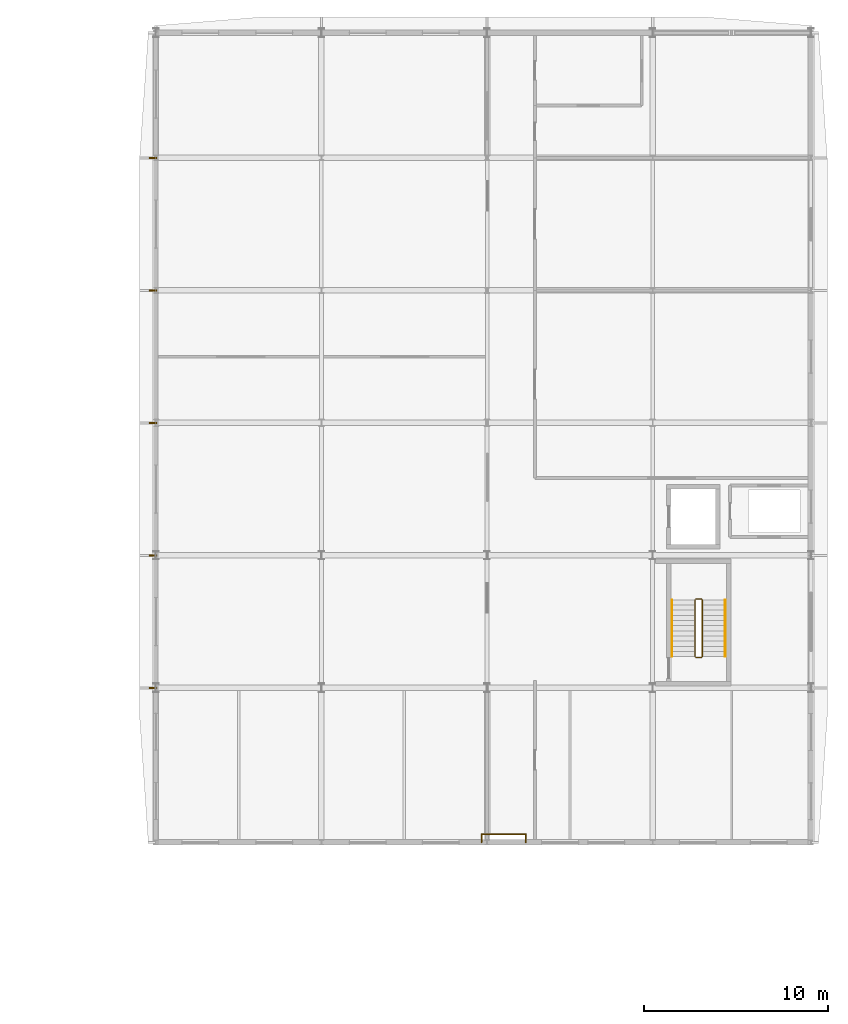
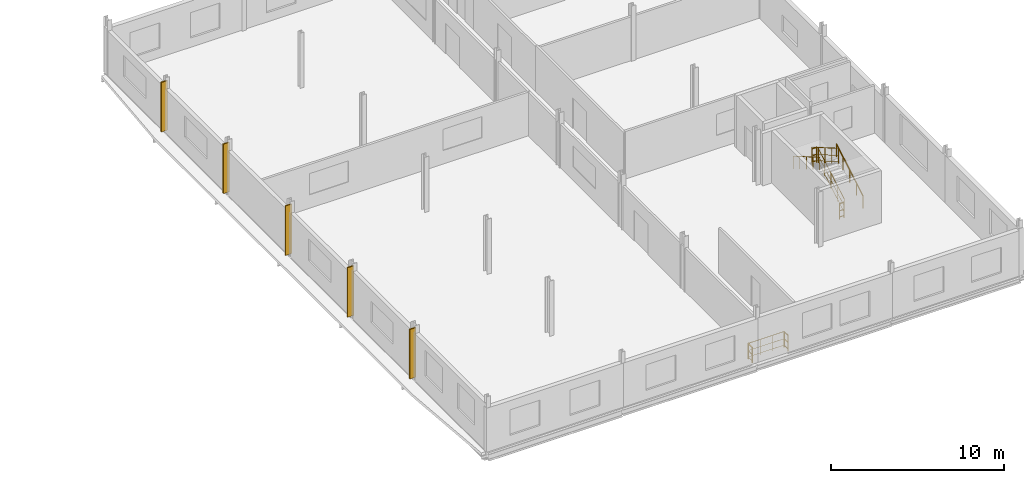
# One storey, part 49 of 49: 9 railings, 5 shading devices.
"""IFC4 building model written with IfcOpenShell, lengths in metres."""

import ifcopenshell
import ifcopenshell.guid

model = None  # the IFC model being written
_history = None  # IfcOwnerHistory: only IFC2X3 demands one
_inside = {}  # id of a spatial element -> (the spatial element, [elements in it])
_under = {}  # id of a project, library or spatial element -> (it, [spatial elements below it])
_declared = {}  # id of a project -> (the project, [libraries it declares])
_typed = {}  # id of a type object -> (the type object, [elements of that type])
_made_of = {}  # id of a material, layer set ... -> (it, [elements and type objects made of it])


def new_model(schema):
    """Start an empty IFC model of exactly this schema.

    Asked for "IFC4X3", IfcOpenShell would pick the latest addendum, in which some entities
    have other attributes; the version numbers below select the first issue.
    IFC2X3 requires an IfcOwnerHistory on every rooted entity: one is made here for all.
    """
    global model, _history
    if schema == "IFC4X3":
        model = ifcopenshell.file(schema_version=(4, 3, 0, 0))
    else:
        model = ifcopenshell.file(schema=schema)
    _inside.clear()
    _under.clear()
    _declared.clear()
    _typed.clear()
    _made_of.clear()
    _history = None
    if model.schema == "IFC2X3":
        org = make("IfcOrganization", Name="unknown")
        user = make(
            "IfcPersonAndOrganization",
            ThePerson=make("IfcPerson", FamilyName="unknown"),
            TheOrganization=org,
        )
        app = make(
            "IfcApplication",
            ApplicationDeveloper=org,
            Version="unknown",
            ApplicationFullName="unknown",
            ApplicationIdentifier="unknown",
        )
        _history = make(
            "IfcOwnerHistory",
            OwningUser=user,
            OwningApplication=app,
            ChangeAction="ADDED",
            CreationDate=0,
        )
    return model


def make(cls, **values):
    """One entity of the class cls with the attributes given. An attribute that is None is left unset."""
    return model.create_entity(
        cls, **{name: value for name, value in values.items() if value is not None}
    )


def rooted(cls, **values):
    """An entity with a GlobalId (a new one), such as an element, a storey or a relation."""
    return make(cls, GlobalId=ifcopenshell.guid.new(), OwnerHistory=_history, **values)


def si_unit(unit_type, name, prefix=None):
    """IfcSIUnit, for example si_unit("LENGTHUNIT", "METRE", prefix="MILLI")."""
    return make("IfcSIUnit", UnitType=unit_type, Prefix=prefix, Name=name)


def assignment(units):
    """IfcUnitAssignment: the units of a project."""
    return None if units is None else make("IfcUnitAssignment", Units=units)


def point(xyz):
    """IfcCartesianPoint."""
    return None if xyz is None else make("IfcCartesianPoint", Coordinates=xyz)


def direction(xyz):
    """IfcDirection."""
    return None if xyz is None else make("IfcDirection", DirectionRatios=xyz)


def frame(location, z_axis=None, x_axis=None):
    """IfcAxis2Placement3D, a coordinate frame: its origin and axes. An axis left out is left unset."""
    return make(
        "IfcAxis2Placement3D",
        Location=point(location),
        Axis=direction(z_axis),
        RefDirection=direction(x_axis),
    )


def frame_2d(location, x_axis=None):
    """IfcAxis2Placement2D, a coordinate frame in the plane: its origin and x axis."""
    return make(
        "IfcAxis2Placement2D", Location=point(location), RefDirection=direction(x_axis)
    )


def origin():
    """The frame at (0, 0, 0) with its axes left unset."""
    return frame((0.0, 0.0, 0.0))


def origin_2d():
    """The frame at (0, 0) in the plane with its x axis left unset."""
    return frame_2d((0.0, 0.0))


def place(relative_to, where):
    """IfcLocalPlacement: puts the frame where relative to a parent placement (None: the world)."""
    return make(
        "IfcLocalPlacement", PlacementRelTo=relative_to, RelativePlacement=where
    )


def context(
    kind, dimensions, precision=None, world=None, true_north=None, identifier=None
):
    """IfcGeometricRepresentationContext, for example the 3D "Model" context."""
    return make(
        "IfcGeometricRepresentationContext",
        ContextIdentifier=identifier,
        ContextType=kind,
        CoordinateSpaceDimension=dimensions,
        Precision=precision,
        WorldCoordinateSystem=world,
        TrueNorth=true_north,
    )


def subcontext(parent, identifier, kind, view, scale=None):
    """IfcGeometricRepresentationSubContext, for example "Body" below "Model"."""
    return make(
        "IfcGeometricRepresentationSubContext",
        ContextIdentifier=identifier,
        ContextType=kind,
        ParentContext=parent,
        TargetScale=scale,
        TargetView=view,
    )


def project(units=None, contexts=None):
    """IfcProject with its units and contexts."""
    return rooted(
        "IfcProject",
        Name="project",
        RepresentationContexts=contexts,
        UnitsInContext=assignment(units),
    )


def spatial(cls, under=None, at=None, **own):
    """A site, building, storey or space (cls), placed at a placement, below another one or the project."""
    s = rooted(cls, ObjectPlacement=at, **own)
    if under is not None:
        _under.setdefault(under.id(), (under, []))[1].append(s)
    return s


def profile(cls, at=None, kind="AREA", **sizes):
    """A parametric profile (cls). Its sizes go by their IFC names, for example OverallWidth=200.0."""
    return make(cls, ProfileType=kind, Position=at, **sizes)


def rectangle(**sizes):
    """IfcRectangleProfileDef."""
    return profile("IfcRectangleProfileDef", **sizes)


def circle(**sizes):
    """IfcCircleProfileDef."""
    return profile("IfcCircleProfileDef", **sizes)


def extrude(swept, where, along, depth):
    """IfcExtrudedAreaSolid: the profile swept, set in the frame where, extruded along a direction by depth."""
    return make(
        "IfcExtrudedAreaSolid",
        SweptArea=swept,
        Position=where,
        ExtrudedDirection=direction(along),
        Depth=depth,
    )


def shape(context_of_items, identifier, shape_type, items):
    """IfcShapeRepresentation: the items that make up one representation, for example the "Body"."""
    return make(
        "IfcShapeRepresentation",
        ContextOfItems=context_of_items,
        RepresentationIdentifier=identifier,
        RepresentationType=shape_type,
        Items=items,
    )


def material(Name=None, Category=None):
    """IfcMaterial."""
    return make("IfcMaterial", Name=Name, Category=Category)


def made_of(thing, what):
    """Note that an element or type object is made of a material, layer set ...; save() writes the relation."""
    if what is not None:
        _made_of.setdefault(what.id(), (what, []))[1].append(thing)
    return thing


def type_object(cls, material=None, **own):
    """A type object (cls), such as IfcWallType, which elements share."""
    return made_of(rooted(cls, **own), material)


def element(
    cls,
    number,
    at=None,
    inside=None,
    cuts=None,
    type_object=None,
    material=None,
    context=None,
    identifier="Body",
    shape_type=None,
    held_by="IfcProductDefinitionShape",
    body=None,
    shapes=None,
    **own,
):
    """One element of the class cls, such as IfcWall. Its Tag is "e" and its number.

    at: its placement. inside: the storey or other place that contains it. cuts: it is an
    opening in that element (IfcRelVoidsElement). A single representation is given by context,
    identifier, shape_type and body (its items); several are given by shapes. held_by: the class
    of the entity that holds the representations. save() writes the other relations.
    """
    e = rooted(cls, Tag="e%d" % number, ObjectPlacement=at, **own)
    if body is not None:
        shapes = [shape(context, identifier, shape_type, body)]
    if shapes is not None:
        e.Representation = make(held_by, Representations=shapes)
    if inside is not None:
        _inside.setdefault(inside.id(), (inside, []))[1].append(e)
    if cuts is not None:
        rooted(
            "IfcRelVoidsElement", RelatingBuildingElement=cuts, RelatedOpeningElement=e
        )
    if type_object is not None:
        _typed.setdefault(type_object.id(), (type_object, []))[1].append(e)
    return made_of(e, material)


def aggregate(whole, parts):
    """IfcRelAggregates: a whole, such as a stair, and the parts it consists of."""
    return rooted("IfcRelAggregates", RelatingObject=whole, RelatedObjects=parts)


def save(model, path):
    """Write the relations noted so far, then the file.

    IfcRelAggregates (storeys below a building ...), IfcRelContainedInSpatialStructure (elements
    in a storey), IfcRelDefinesByType, IfcRelAssociatesMaterial and IfcRelDeclares: one each for
    every whole, place, type object, material and project.
    """
    for whole, parts in _under.values():
        aggregate(whole, parts)
    for where, things in _inside.values():
        rooted(
            "IfcRelContainedInSpatialStructure",
            RelatedElements=things,
            RelatingStructure=where,
        )
    for kind, things in _typed.values():
        rooted("IfcRelDefinesByType", RelatedObjects=things, RelatingType=kind)
    for what, things in _made_of.values():
        rooted("IfcRelAssociatesMaterial", RelatedObjects=things, RelatingMaterial=what)
    for by, libraries in _declared.values():
        rooted("IfcRelDeclares", RelatingContext=by, RelatedDefinitions=libraries)
    model.write(path)


model = new_model("IFC4")

# Units and contexts
model_context = context("Model", 3, precision=1e-05, world=origin(), true_north=direction((0.0, 1.0)))
body_context = subcontext(model_context, "Body", "Model", "MODEL_VIEW")
ifc_project = project(units=[si_unit("LENGTHUNIT", "METRE"), si_unit("AREAUNIT", "SQUARE_METRE"), si_unit("VOLUMEUNIT", "CUBIC_METRE"), si_unit("PLANEANGLEUNIT", "RADIAN"), si_unit("MASSUNIT", "GRAM", prefix="KILO")], contexts=[model_context])

# Site, building, storey
site_placement = place(None, origin())
site = spatial("IfcSite", under=ifc_project, at=site_placement, CompositionType="ELEMENT")
building_placement = place(site_placement, origin())
building = spatial("IfcBuilding", under=site, at=building_placement, Name="Vinh Khe Railworks Police Headquarters", CompositionType="ELEMENT")
storey_placement = place(building_placement, frame((0.0, 0.0, 17.10009765625)))
storey = spatial("IfcBuildingStorey", under=building, at=storey_placement, Name="L04", CompositionType="ELEMENT", Elevation=17.10009765625)

# Railings
ifc_material_1 = material(Name="Painted tubular steel", Category="steel")
railing_type_1 = type_object("IfcRailingType", Name="RL-GUARD-1100", PredefinedType="GUARDRAIL", material=ifc_material_1)
railing_1_placement = place(storey_placement, frame((107.699951171875, 132.5, 0.162353515625)))
element("IfcRailing", 1, at=railing_1_placement, inside=storey, type_object=railing_type_1, Name="L04 ST-03 stair guard 1", PredefinedType="GUARDRAIL", context=body_context, shape_type="SweptSolid", body=[
    extrude(circle(Radius=0.02392578125, at=origin_2d()), frame((0.0, 0.0, 1.076171875), z_axis=(0.0, 0.864890721111, 0.501960198159), x_axis=(-1.0, 0.0, 0.0)), (0.0, 0.0, 1.0), 3.561279296875),
    extrude(circle(Radius=0.01416015625, at=origin_2d()), frame((0.0, 0.0, 0.132080078125), z_axis=(0.0, 0.864890721111, 0.501960198159), x_axis=(-1.0, 0.0, 0.0)), (0.0, 0.0, 1.0), 3.561279296875),
    extrude(circle(Radius=0.01416015625, at=origin_2d()), frame((0.0, 0.0, 0.572021484375), z_axis=(0.0, 0.864890721111, 0.501960198159), x_axis=(-1.0, 0.0, 0.0)), (0.0, 0.0, 1.0), 3.561279296875),
    extrude(circle(Radius=0.02099609375, at=origin_2d()), origin(), (0.0, 0.0, 1.0), 1.052001953125),
    extrude(circle(Radius=0.02099609375, at=origin_2d()), frame((0.0, 0.77001953125, 0.44677734375)), (0.0, 0.0, 1.0), 1.052001953125),
    extrude(circle(Radius=0.02099609375, at=origin_2d()), frame((0.0, 1.5400390625, 0.893798828125)), (0.0, 0.0, 1.0), 1.052001953125),
    extrude(circle(Radius=0.02099609375, at=origin_2d()), frame((0.0, 2.31005859375, 1.3408203125)), (0.0, 0.0, 1.0), 1.052001953125),
    extrude(circle(Radius=0.02099609375, at=origin_2d()), frame((0.0, 3.080078125, 1.78759765625)), (0.0, 0.0, 1.0), 1.052001953125),
])
railing_2_placement = place(storey_placement, frame((107.64990234375, 135.6298828125, 1.949951171875)))
element("IfcRailing", 2, at=railing_2_placement, inside=storey, type_object=railing_type_1, Name="L04 ST-03 stair guard 2", PredefinedType="GUARDRAIL", context=body_context, shape_type="SweptSolid", body=[
    extrude(circle(Radius=0.02392578125, at=origin_2d()), frame((0.0, 0.0, 1.076171875), z_axis=(-1.0, 0.0, 0.0), x_axis=(0.0, -1.0, 0.0)), (0.0, 0.0, 1.0), 0.2998046875),
    extrude(circle(Radius=0.01416015625, at=origin_2d()), frame((0.0, 0.0, 0.132080078125), z_axis=(-1.0, 0.0, 0.0), x_axis=(0.0, -1.0, 0.0)), (0.0, 0.0, 1.0), 0.2998046875),
    extrude(circle(Radius=0.01416015625, at=origin_2d()), frame((0.0, 0.0, 0.572021484375), z_axis=(-1.0, 0.0, 0.0), x_axis=(0.0, -1.0, 0.0)), (0.0, 0.0, 1.0), 0.2998046875),
    extrude(circle(Radius=0.02099609375, at=origin_2d()), origin(), (0.0, 0.0, 1.0), 1.052001953125),
    extrude(circle(Radius=0.02099609375, at=origin_2d()), frame((-0.2998046875, 0.0, 0.0)), (0.0, 0.0, 1.0), 1.052001953125),
])
railing_3_placement = place(storey_placement, frame((107.300048828125, 135.580078125, 2.1123046875)))
element("IfcRailing", 3, at=railing_3_placement, inside=storey, type_object=railing_type_1, Name="L04 ST-03 stair guard 3", PredefinedType="GUARDRAIL", context=body_context, shape_type="SweptSolid", body=[
    extrude(circle(Radius=0.02392578125, at=origin_2d()), frame((0.0, 0.0, 1.076171875), z_axis=(0.0, -0.864890721111, 0.501960198159), x_axis=(1.0, 0.0, 0.0)), (0.0, 0.0, 1.0), 3.561279296875),
    extrude(circle(Radius=0.01416015625, at=origin_2d()), frame((0.0, 0.0, 0.132080078125), z_axis=(0.0, -0.864890721111, 0.501960198159), x_axis=(1.0, 0.0, 0.0)), (0.0, 0.0, 1.0), 3.561279296875),
    extrude(circle(Radius=0.01416015625, at=origin_2d()), frame((0.0, 0.0, 0.572021484375), z_axis=(0.0, -0.864890721111, 0.501960198159), x_axis=(1.0, 0.0, 0.0)), (0.0, 0.0, 1.0), 3.561279296875),
    extrude(circle(Radius=0.02099609375, at=origin_2d()), origin(), (0.0, 0.0, 1.0), 1.052001953125),
    extrude(circle(Radius=0.02099609375, at=origin_2d()), frame((0.0, -0.77001953125, 0.44677734375)), (0.0, 0.0, 1.0), 1.052001953125),
    extrude(circle(Radius=0.02099609375, at=origin_2d()), frame((0.0, -1.5400390625, 0.893798828125)), (0.0, 0.0, 1.0), 1.052001953125),
    extrude(circle(Radius=0.02099609375, at=origin_2d()), frame((0.0, -2.31005859375, 1.3408203125)), (0.0, 0.0, 1.0), 1.052001953125),
    extrude(circle(Radius=0.02099609375, at=origin_2d()), frame((0.0, -3.080078125, 1.78759765625)), (0.0, 0.0, 1.0), 1.052001953125),
])
railing_4_placement = place(storey_placement, frame((107.64990234375, 132.449951171875, 0.0)))
element("IfcRailing", 4, at=railing_4_placement, inside=storey, type_object=railing_type_1, Name="L04 ST-03 stair guard 4", PredefinedType="GUARDRAIL", context=body_context, shape_type="SweptSolid", body=[
    extrude(circle(Radius=0.02392578125, at=origin_2d()), frame((0.0, 0.0, 1.076171875), z_axis=(-1.0, 0.0, 0.0), x_axis=(0.0, -1.0, 0.0)), (0.0, 0.0, 1.0), 0.2998046875),
    extrude(circle(Radius=0.01416015625, at=origin_2d()), frame((0.0, 0.0, 0.132080078125), z_axis=(-1.0, 0.0, 0.0), x_axis=(0.0, -1.0, 0.0)), (0.0, 0.0, 1.0), 0.2998046875),
    extrude(circle(Radius=0.01416015625, at=origin_2d()), frame((0.0, 0.0, 0.572021484375), z_axis=(-1.0, 0.0, 0.0), x_axis=(0.0, -1.0, 0.0)), (0.0, 0.0, 1.0), 0.2998046875),
    extrude(circle(Radius=0.02099609375, at=origin_2d()), origin(), (0.0, 0.0, 1.0), 1.052001953125),
    extrude(circle(Radius=0.02099609375, at=origin_2d()), frame((-0.2998046875, 0.0, 0.0)), (0.0, 0.0, 1.0), 1.052001953125),
])
railing_5_placement = place(storey_placement, frame((95.699951171875, 122.39990234375, 0.0)))
element("IfcRailing", 5, at=railing_5_placement, inside=storey, type_object=railing_type_1, Name="Slab Corner Notch Guard L04-99", PredefinedType="GUARDRAIL", context=body_context, shape_type="SweptSolid", body=[
    extrude(circle(Radius=0.02392578125, at=origin_2d()), frame((0.0, 0.0, 1.09619140625), z_axis=(0.0, 1.0, 0.0), x_axis=(-1.0, 0.0, 0.0)), (0.0, 0.0, 1.0), 0.4501953125),
    extrude(circle(Radius=0.01416015625, at=origin_2d()), frame((0.0, 0.0, 0.134521484375), z_axis=(0.0, 1.0, 0.0), x_axis=(-1.0, 0.0, 0.0)), (0.0, 0.0, 1.0), 0.4501953125),
    extrude(circle(Radius=0.01416015625, at=origin_2d()), frame((0.0, 0.0, 0.58251953125), z_axis=(0.0, 1.0, 0.0), x_axis=(-1.0, 0.0, 0.0)), (0.0, 0.0, 1.0), 0.4501953125),
    extrude(circle(Radius=0.02099609375, at=origin_2d()), origin(), (0.0, 0.0, 1.0), 1.072021484375),
    extrude(circle(Radius=0.02099609375, at=origin_2d()), frame((0.0, 0.4501953125, 0.0)), (0.0, 0.0, 1.0), 1.072021484375),
])
railing_6_placement = place(storey_placement, frame((95.699951171875, 122.85009765625, 0.0)))
element("IfcRailing", 6, at=railing_6_placement, inside=storey, type_object=railing_type_1, Name="Slab Corner Notch Guard L04-100", PredefinedType="GUARDRAIL", context=body_context, shape_type="SweptSolid", body=[
    extrude(circle(Radius=0.02392578125, at=origin_2d()), frame((0.0, 0.0, 1.09619140625), z_axis=(1.0, 0.0, 0.0), x_axis=(0.0, 1.0, 0.0)), (0.0, 0.0, 1.0), 2.400146484375),
    extrude(circle(Radius=0.01416015625, at=origin_2d()), frame((0.0, 0.0, 0.134521484375), z_axis=(1.0, 0.0, 0.0), x_axis=(0.0, 1.0, 0.0)), (0.0, 0.0, 1.0), 2.400146484375),
    extrude(circle(Radius=0.01416015625, at=origin_2d()), frame((0.0, 0.0, 0.58251953125), z_axis=(1.0, 0.0, 0.0), x_axis=(0.0, 1.0, 0.0)), (0.0, 0.0, 1.0), 2.400146484375),
    extrude(circle(Radius=0.02099609375, at=origin_2d()), origin(), (0.0, 0.0, 1.0), 1.072021484375),
    extrude(circle(Radius=0.02099609375, at=origin_2d()), frame((0.800048828125, 0.0, 0.0)), (0.0, 0.0, 1.0), 1.072021484375),
    extrude(circle(Radius=0.02099609375, at=origin_2d()), frame((1.60009765625, 0.0, 0.0)), (0.0, 0.0, 1.0), 1.072021484375),
    extrude(circle(Radius=0.02099609375, at=origin_2d()), frame((2.400146484375, 0.0, 0.0)), (0.0, 0.0, 1.0), 1.072021484375),
])
railing_7_placement = place(storey_placement, frame((98.10009765625, 122.85009765625, 0.0)))
element("IfcRailing", 7, at=railing_7_placement, inside=storey, type_object=railing_type_1, Name="Slab Corner Notch Guard L04-101", PredefinedType="GUARDRAIL", context=body_context, shape_type="SweptSolid", body=[
    extrude(circle(Radius=0.02392578125, at=origin_2d()), frame((0.0, 0.0, 1.09619140625), z_axis=(0.0, -1.0, 0.0), x_axis=(1.0, 0.0, 0.0)), (0.0, 0.0, 1.0), 0.4501953125),
    extrude(circle(Radius=0.01416015625, at=origin_2d()), frame((0.0, 0.0, 0.134521484375), z_axis=(0.0, -1.0, 0.0), x_axis=(1.0, 0.0, 0.0)), (0.0, 0.0, 1.0), 0.4501953125),
    extrude(circle(Radius=0.01416015625, at=origin_2d()), frame((0.0, 0.0, 0.58251953125), z_axis=(0.0, -1.0, 0.0), x_axis=(1.0, 0.0, 0.0)), (0.0, 0.0, 1.0), 0.4501953125),
    extrude(circle(Radius=0.02099609375, at=origin_2d()), origin(), (0.0, 0.0, 1.0), 1.072021484375),
    extrude(circle(Radius=0.02099609375, at=origin_2d()), frame((0.0, -0.4501953125, 0.0)), (0.0, 0.0, 1.0), 1.072021484375),
])
ifc_material_2 = material(Name="Brushed stainless steel", Category="steel")
railing_type_2 = type_object("IfcRailingType", Name="RL-HAND-900", PredefinedType="HANDRAIL", material=ifc_material_2)
railing_8_placement = place(storey_placement, frame((108.949951171875, 132.5, 0.162353515625)))
element("IfcRailing", 8, at=railing_8_placement, inside=storey, type_object=railing_type_2, Name="L04 ST-03 stair handrail 1", PredefinedType="HANDRAIL", context=body_context, shape_type="SweptSolid", body=[
    extrude(circle(Radius=0.02392578125, at=origin_2d()), frame((0.0, 0.0, 0.8759765625), z_axis=(0.0, 0.864890721111, 0.501960198159), x_axis=(-1.0, 0.0, 0.0)), (0.0, 0.0, 1.0), 3.561279296875),
    extrude(circle(Radius=0.02099609375, at=origin_2d()), origin(), (0.0, 0.0, 1.0), 0.851806640625),
    extrude(circle(Radius=0.02099609375, at=origin_2d()), frame((0.0, 0.77001953125, 0.44677734375)), (0.0, 0.0, 1.0), 0.851806640625),
    extrude(circle(Radius=0.02099609375, at=origin_2d()), frame((0.0, 1.5400390625, 0.893798828125)), (0.0, 0.0, 1.0), 0.851806640625),
    extrude(circle(Radius=0.02099609375, at=origin_2d()), frame((0.0, 2.31005859375, 1.3408203125)), (0.0, 0.0, 1.0), 0.851806640625),
    extrude(circle(Radius=0.02099609375, at=origin_2d()), frame((0.0, 3.080078125, 1.78759765625)), (0.0, 0.0, 1.0), 0.851806640625),
])
railing_9_placement = place(storey_placement, frame((106.050048828125, 135.580078125, 2.1123046875)))
element("IfcRailing", 9, at=railing_9_placement, inside=storey, type_object=railing_type_2, Name="L04 ST-03 stair handrail 2", PredefinedType="HANDRAIL", context=body_context, shape_type="SweptSolid", body=[
    extrude(circle(Radius=0.02392578125, at=origin_2d()), frame((0.0, 0.0, 0.8759765625), z_axis=(0.0, -0.864890721111, 0.501960198159), x_axis=(1.0, 0.0, 0.0)), (0.0, 0.0, 1.0), 3.561279296875),
    extrude(circle(Radius=0.02099609375, at=origin_2d()), origin(), (0.0, 0.0, 1.0), 0.851806640625),
    extrude(circle(Radius=0.02099609375, at=origin_2d()), frame((0.0, -0.77001953125, 0.44677734375)), (0.0, 0.0, 1.0), 0.851806640625),
    extrude(circle(Radius=0.02099609375, at=origin_2d()), frame((0.0, -1.5400390625, 0.893798828125)), (0.0, 0.0, 1.0), 0.851806640625),
    extrude(circle(Radius=0.02099609375, at=origin_2d()), frame((0.0, -2.31005859375, 1.3408203125)), (0.0, 0.0, 1.0), 0.851806640625),
    extrude(circle(Radius=0.02099609375, at=origin_2d()), frame((0.0, -3.080078125, 1.78759765625)), (0.0, 0.0, 1.0), 0.851806640625),
])

# Shading devices
ifc_material_3 = material(Name="Salvaged ironwood timber", Category="wood")
shading_device_type = type_object("IfcShadingDeviceType", Name="SHD-MSF-01", PredefinedType="JALOUSIE", material=ifc_material_3)
for number, where, z_axis, x_axis, name in (
    (10, (77.840087890625, 130.800048828125, 0.099853515625), (0.0, 0.0, 1.0), (1.0, 0.0, 0.0), "Monsoon Court Solar Fin V6 L04-1"),
    (11, (77.840087890625, 138.0, 0.099853515625), (0.0, 0.0, 1.0), (1.0, 0.0, 0.0), "Monsoon Court Solar Fin V6 L04-2"),
    (12, (77.840087890625, 145.199951171875, 0.099853515625), (0.0, 0.0, 1.0), (1.0, 0.0, 0.0), "Monsoon Court Solar Fin V6 L04-3"),
    (13, (77.840087890625, 152.39990234375, 0.099853515625), (0.0, 0.0, 1.0), (1.0, 0.0, 0.0), "Monsoon Court Solar Fin V6 L04-4"),
    (14, (77.840087890625, 159.60009765625, 0.099853515625), (0.0, 0.0, 1.0), (1.0, 0.0, 0.0), "Monsoon Court Solar Fin V6 L04-5"),
):
    element("IfcShadingDevice", number, at=place(storey_placement, frame(where, z_axis=z_axis, x_axis=x_axis)), inside=storey, type_object=shading_device_type, Name=name, PredefinedType="JALOUSIE", context=body_context, shape_type="SweptSolid", body=[
        extrude(rectangle(XDim=0.419921875, YDim=0.080078125, at=origin_2d()), origin(), (0.0, 0.0, 1.0), 3.5),
    ])

save(model, "model.ifc")
